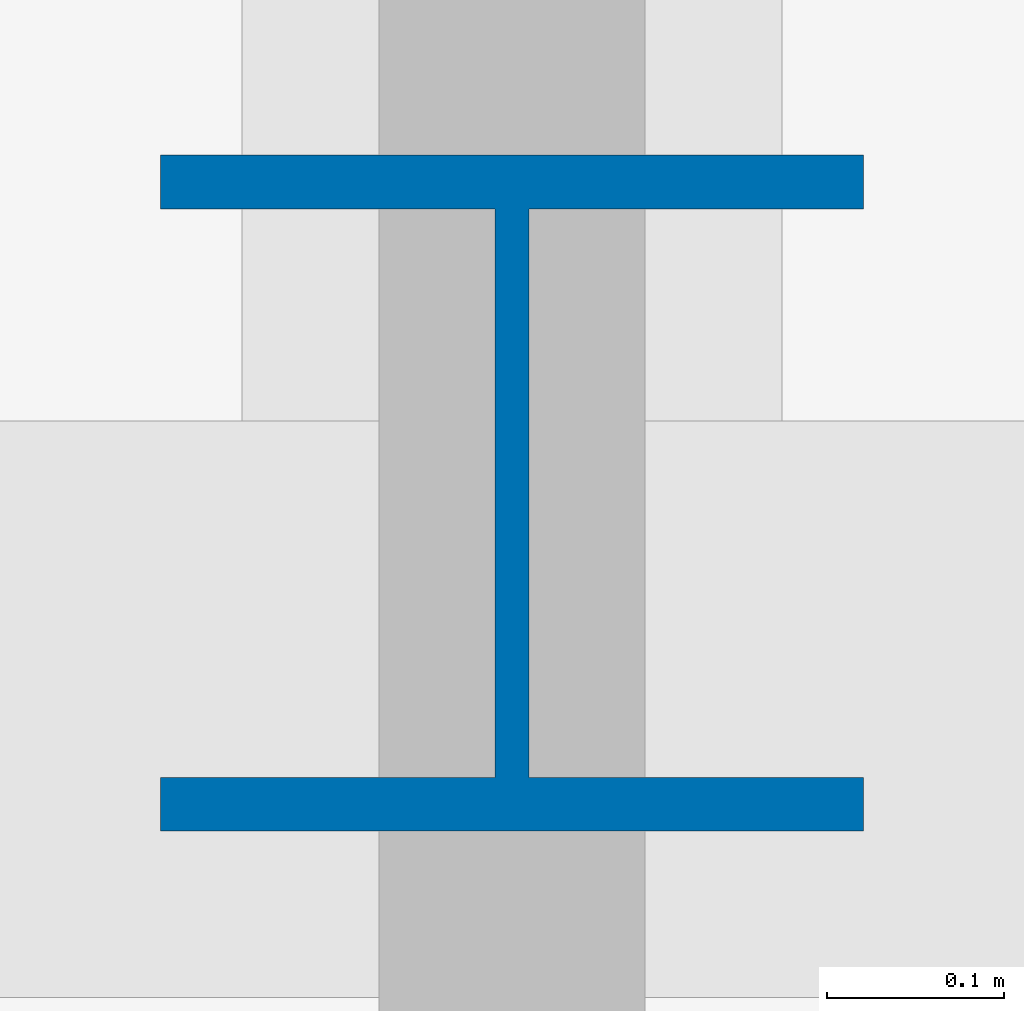
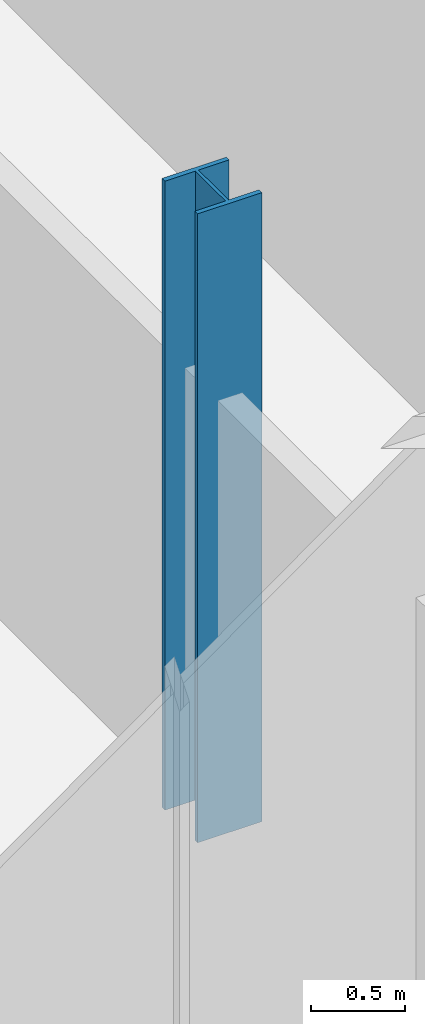
# One storey, part 2 of 22: 1 column.
"""IFC4 building model written with IfcOpenShell, lengths in metres."""

from ifc_helpers import new_model, si_unit, direction, frame, origin, origin_2d, place, context, subcontext, project, spatial, i_section, extrude, material, material_profile, profile_set, type_object, element, save


model = new_model("IFC4")

# Units and contexts
model_context = context("Model", 3, precision=1e-05, world=origin(), true_north=direction((0.0, 1.0)))
body_context = subcontext(model_context, "Body", "Model", "MODEL_VIEW")
ifc_project = project(units=[si_unit("LENGTHUNIT", "METRE"), si_unit("AREAUNIT", "SQUARE_METRE"), si_unit("VOLUMEUNIT", "CUBIC_METRE"), si_unit("PLANEANGLEUNIT", "RADIAN"), si_unit("MASSUNIT", "GRAM", prefix="KILO")], contexts=[model_context])

# Site, building, storey
site_placement = place(None, origin())
site = spatial("IfcSite", under=ifc_project, at=site_placement, CompositionType="ELEMENT")
building_placement = place(site_placement, origin())
building = spatial("IfcBuilding", under=site, at=building_placement, Name="Bicima Exchange Tower", CompositionType="ELEMENT")
storey_placement = place(building_placement, frame((0.0, 0.0, 169.10009765625)))
storey = spatial("IfcBuildingStorey", under=building, at=storey_placement, Name="L37", CompositionType="ELEMENT", Elevation=169.10009765625)

# Column
ifc_material = material(Name="Steel ASTM A992 Gr 50", Category="steel")
ifc_material_profile = material_profile(ifc_material, i_section(OverallWidth=0.396240234375, OverallDepth=0.381103515625, WebThickness=0.01904296875, FlangeThickness=0.0302734375, at=origin_2d()))
ifc_profile_set = profile_set([ifc_material_profile], Name="Steel ASTM A992 Gr 50")
column_type = type_object("IfcColumnType", Name="Perimeter column W14x159", PredefinedType="COLUMN", material=ifc_profile_set)
column_placement = place(storey_placement, frame((26.10009765625, -31.9140625, 0.0), z_axis=(0.0, 0.0, 1.0), x_axis=(1.0, 0.0, 0.0)))
element("IfcColumn", 1, at=column_placement, inside=storey, type_object=column_type, Name="Perimeter column grav+26.1f", PredefinedType="COLUMN", context=body_context, shape_type="SweptSolid", body=[
    extrude(i_section(OverallWidth=0.396240234375, OverallDepth=0.381103515625, WebThickness=0.01904296875, FlangeThickness=0.0302734375, at=origin_2d()), origin(), (0.0, 0.0, 1.0), 4.099853515625),
])

save(model, "model.ifc")
